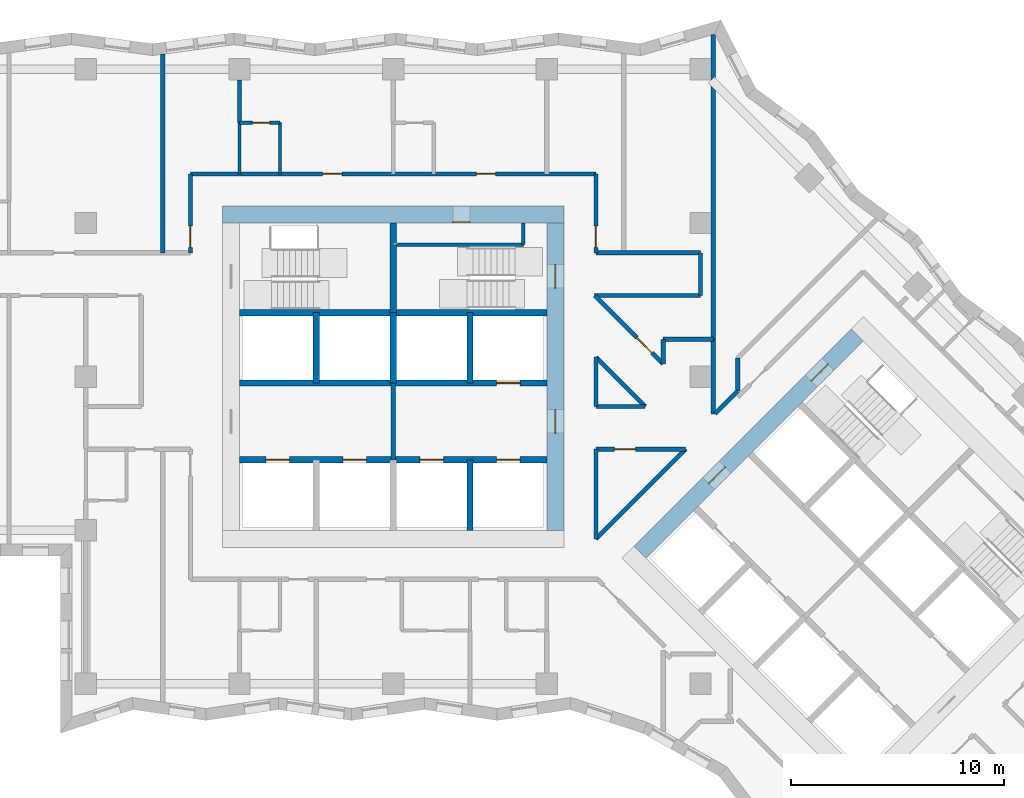
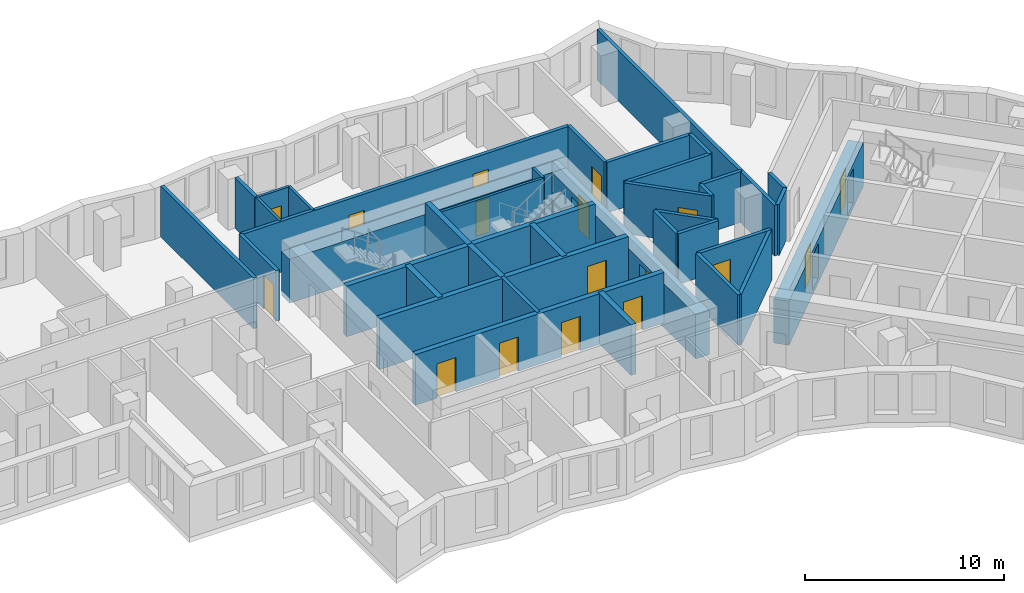
# One storey, part 6 of 13: 39 walls, 17 doors, 17 openings.
"""IFC4 building model written with IfcOpenShell, lengths in metres."""

import ifcopenshell
import ifcopenshell.guid

model = None  # the IFC model being written
_history = None  # IfcOwnerHistory: only IFC2X3 demands one
_inside = {}  # id of a spatial element -> (the spatial element, [elements in it])
_under = {}  # id of a project, library or spatial element -> (it, [spatial elements below it])
_declared = {}  # id of a project -> (the project, [libraries it declares])
_typed = {}  # id of a type object -> (the type object, [elements of that type])
_made_of = {}  # id of a material, layer set ... -> (it, [elements and type objects made of it])


def new_model(schema):
    """Start an empty IFC model of exactly this schema.

    Asked for "IFC4X3", IfcOpenShell would pick the latest addendum, in which some entities
    have other attributes; the version numbers below select the first issue.
    IFC2X3 requires an IfcOwnerHistory on every rooted entity: one is made here for all.
    """
    global model, _history
    if schema == "IFC4X3":
        model = ifcopenshell.file(schema_version=(4, 3, 0, 0))
    else:
        model = ifcopenshell.file(schema=schema)
    _inside.clear()
    _under.clear()
    _declared.clear()
    _typed.clear()
    _made_of.clear()
    _history = None
    if model.schema == "IFC2X3":
        org = make("IfcOrganization", Name="unknown")
        user = make(
            "IfcPersonAndOrganization",
            ThePerson=make("IfcPerson", FamilyName="unknown"),
            TheOrganization=org,
        )
        app = make(
            "IfcApplication",
            ApplicationDeveloper=org,
            Version="unknown",
            ApplicationFullName="unknown",
            ApplicationIdentifier="unknown",
        )
        _history = make(
            "IfcOwnerHistory",
            OwningUser=user,
            OwningApplication=app,
            ChangeAction="ADDED",
            CreationDate=0,
        )
    return model


def make(cls, **values):
    """One entity of the class cls with the attributes given. An attribute that is None is left unset."""
    return model.create_entity(
        cls, **{name: value for name, value in values.items() if value is not None}
    )


def rooted(cls, **values):
    """An entity with a GlobalId (a new one), such as an element, a storey or a relation."""
    return make(cls, GlobalId=ifcopenshell.guid.new(), OwnerHistory=_history, **values)


def si_unit(unit_type, name, prefix=None):
    """IfcSIUnit, for example si_unit("LENGTHUNIT", "METRE", prefix="MILLI")."""
    return make("IfcSIUnit", UnitType=unit_type, Prefix=prefix, Name=name)


def assignment(units):
    """IfcUnitAssignment: the units of a project."""
    return None if units is None else make("IfcUnitAssignment", Units=units)


def point(xyz):
    """IfcCartesianPoint."""
    return None if xyz is None else make("IfcCartesianPoint", Coordinates=xyz)


def direction(xyz):
    """IfcDirection."""
    return None if xyz is None else make("IfcDirection", DirectionRatios=xyz)


def frame(location, z_axis=None, x_axis=None):
    """IfcAxis2Placement3D, a coordinate frame: its origin and axes. An axis left out is left unset."""
    return make(
        "IfcAxis2Placement3D",
        Location=point(location),
        Axis=direction(z_axis),
        RefDirection=direction(x_axis),
    )


def frame_2d(location, x_axis=None):
    """IfcAxis2Placement2D, a coordinate frame in the plane: its origin and x axis."""
    return make(
        "IfcAxis2Placement2D", Location=point(location), RefDirection=direction(x_axis)
    )


def origin():
    """The frame at (0, 0, 0) with its axes left unset."""
    return frame((0.0, 0.0, 0.0))


def place(relative_to, where):
    """IfcLocalPlacement: puts the frame where relative to a parent placement (None: the world)."""
    return make(
        "IfcLocalPlacement", PlacementRelTo=relative_to, RelativePlacement=where
    )


def context(
    kind, dimensions, precision=None, world=None, true_north=None, identifier=None
):
    """IfcGeometricRepresentationContext, for example the 3D "Model" context."""
    return make(
        "IfcGeometricRepresentationContext",
        ContextIdentifier=identifier,
        ContextType=kind,
        CoordinateSpaceDimension=dimensions,
        Precision=precision,
        WorldCoordinateSystem=world,
        TrueNorth=true_north,
    )


def subcontext(parent, identifier, kind, view, scale=None):
    """IfcGeometricRepresentationSubContext, for example "Body" below "Model"."""
    return make(
        "IfcGeometricRepresentationSubContext",
        ContextIdentifier=identifier,
        ContextType=kind,
        ParentContext=parent,
        TargetScale=scale,
        TargetView=view,
    )


def project(units=None, contexts=None):
    """IfcProject with its units and contexts."""
    return rooted(
        "IfcProject",
        Name="project",
        RepresentationContexts=contexts,
        UnitsInContext=assignment(units),
    )


def spatial(cls, under=None, at=None, **own):
    """A site, building, storey or space (cls), placed at a placement, below another one or the project."""
    s = rooted(cls, ObjectPlacement=at, **own)
    if under is not None:
        _under.setdefault(under.id(), (under, []))[1].append(s)
    return s


def profile(cls, at=None, kind="AREA", **sizes):
    """A parametric profile (cls). Its sizes go by their IFC names, for example OverallWidth=200.0."""
    return make(cls, ProfileType=kind, Position=at, **sizes)


def rectangle(**sizes):
    """IfcRectangleProfileDef."""
    return profile("IfcRectangleProfileDef", **sizes)


def extrude(swept, where, along, depth):
    """IfcExtrudedAreaSolid: the profile swept, set in the frame where, extruded along a direction by depth."""
    return make(
        "IfcExtrudedAreaSolid",
        SweptArea=swept,
        Position=where,
        ExtrudedDirection=direction(along),
        Depth=depth,
    )


def shape(context_of_items, identifier, shape_type, items):
    """IfcShapeRepresentation: the items that make up one representation, for example the "Body"."""
    return make(
        "IfcShapeRepresentation",
        ContextOfItems=context_of_items,
        RepresentationIdentifier=identifier,
        RepresentationType=shape_type,
        Items=items,
    )


def material(Name=None, Category=None):
    """IfcMaterial."""
    return make("IfcMaterial", Name=Name, Category=Category)


def layer(
    of_material, thickness, ventilated=None, Name=None, Category=None, Priority=None
):
    """IfcMaterialLayer: one layer of a wall or slab, of a material (None: an air gap)."""
    return make(
        "IfcMaterialLayer",
        Material=of_material,
        LayerThickness=thickness,
        IsVentilated=ventilated,
        Name=Name,
        Category=Category,
        Priority=Priority,
    )


def layer_set(layers, Name=None):
    """IfcMaterialLayerSet."""
    return make("IfcMaterialLayerSet", MaterialLayers=layers, LayerSetName=Name)


def made_of(thing, what):
    """Note that an element or type object is made of a material, layer set ...; save() writes the relation."""
    if what is not None:
        _made_of.setdefault(what.id(), (what, []))[1].append(thing)
    return thing


def type_object(cls, material=None, **own):
    """A type object (cls), such as IfcWallType, which elements share."""
    return made_of(rooted(cls, **own), material)


def element(
    cls,
    number,
    at=None,
    inside=None,
    cuts=None,
    type_object=None,
    material=None,
    context=None,
    identifier="Body",
    shape_type=None,
    held_by="IfcProductDefinitionShape",
    body=None,
    shapes=None,
    **own,
):
    """One element of the class cls, such as IfcWall. Its Tag is "e" and its number.

    at: its placement. inside: the storey or other place that contains it. cuts: it is an
    opening in that element (IfcRelVoidsElement). A single representation is given by context,
    identifier, shape_type and body (its items); several are given by shapes. held_by: the class
    of the entity that holds the representations. save() writes the other relations.
    """
    e = rooted(cls, Tag="e%d" % number, ObjectPlacement=at, **own)
    if body is not None:
        shapes = [shape(context, identifier, shape_type, body)]
    if shapes is not None:
        e.Representation = make(held_by, Representations=shapes)
    if inside is not None:
        _inside.setdefault(inside.id(), (inside, []))[1].append(e)
    if cuts is not None:
        rooted(
            "IfcRelVoidsElement", RelatingBuildingElement=cuts, RelatedOpeningElement=e
        )
    if type_object is not None:
        _typed.setdefault(type_object.id(), (type_object, []))[1].append(e)
    return made_of(e, material)


def fill(opening, filler):
    """IfcRelFillsElement: the door or window that sits in an opening."""
    return rooted(
        "IfcRelFillsElement",
        RelatingOpeningElement=opening,
        RelatedBuildingElement=filler,
    )


def aggregate(whole, parts):
    """IfcRelAggregates: a whole, such as a stair, and the parts it consists of."""
    return rooted("IfcRelAggregates", RelatingObject=whole, RelatedObjects=parts)


def save(model, path):
    """Write the relations noted so far, then the file.

    IfcRelAggregates (storeys below a building ...), IfcRelContainedInSpatialStructure (elements
    in a storey), IfcRelDefinesByType, IfcRelAssociatesMaterial and IfcRelDeclares: one each for
    every whole, place, type object, material and project.
    """
    for whole, parts in _under.values():
        aggregate(whole, parts)
    for where, things in _inside.values():
        rooted(
            "IfcRelContainedInSpatialStructure",
            RelatedElements=things,
            RelatingStructure=where,
        )
    for kind, things in _typed.values():
        rooted("IfcRelDefinesByType", RelatedObjects=things, RelatingType=kind)
    for what, things in _made_of.values():
        rooted("IfcRelAssociatesMaterial", RelatedObjects=things, RelatingMaterial=what)
    for by, libraries in _declared.values():
        rooted("IfcRelDeclares", RelatingContext=by, RelatedDefinitions=libraries)
    model.write(path)


model = new_model("IFC4")

# Units and contexts
model_context = context("Model", 3, precision=1e-05, world=origin(), true_north=direction((0.0, 1.0)))
body_context = subcontext(model_context, "Body", "Model", "MODEL_VIEW")
ifc_project = project(units=[si_unit("LENGTHUNIT", "METRE"), si_unit("AREAUNIT", "SQUARE_METRE"), si_unit("VOLUMEUNIT", "CUBIC_METRE"), si_unit("PLANEANGLEUNIT", "RADIAN"), si_unit("MASSUNIT", "GRAM", prefix="KILO")], contexts=[model_context])

# Site, building, storey
site_placement = place(None, origin())
site = spatial("IfcSite", under=ifc_project, at=site_placement, CompositionType="ELEMENT")
building_placement = place(site_placement, origin())
building = spatial("IfcBuilding", under=site, at=building_placement, Name="Windrow Commons", CompositionType="ELEMENT")
storey_placement = place(building_placement, frame((0.0, 0.0, 105.0)))
storey = spatial("IfcBuildingStorey", under=building, at=storey_placement, Name="L28", CompositionType="ELEMENT", Elevation=105.0)

# Wall
ifc_material_1 = material(Name="Blockwork partition", Category="masonry")
ifc_layer_1 = layer(ifc_material_1, 0.2)
ifc_layer_set_1 = layer_set([ifc_layer_1], Name="Fire lobby partition 200")
wall_type_1 = type_object("IfcWallType", Name="Fire lobby partition 200", PredefinedType="PARTITIONING", material=ifc_layer_set_1)
wall_1_placement = place(storey_placement, frame((64.8, 53.7, 0.0), z_axis=(0.0, 0.0, 1.0), x_axis=(0.0, 1.0, 0.0)))
element("IfcWall", 1, at=wall_1_placement, inside=storey, type_object=wall_type_1, Name="W-core-lobby-A-L28", PredefinedType="PARTITIONING", context=body_context, shape_type="SweptSolid", body=[
    extrude(rectangle(XDim=3.6, YDim=0.2, at=frame_2d((1.8, 0.0))), origin(), (0.0, 0.0, 1.0), 3.1),
])

# Wall, openings, doors
ifc_material_2 = material(Name="Blockwork partition", Category="masonry")
ifc_layer_2 = layer(ifc_material_2, 0.2)
ifc_layer_set_2 = layer_set([ifc_layer_2], Name="IW-CORRIDOR-200")
wall_type_2 = type_object("IfcWallType", Name="IW-CORRIDOR-200", PredefinedType="PARTITIONING", material=ifc_layer_set_2)
wall_2_placement = place(storey_placement, frame((55.3, 67.1, 0.0), z_axis=(0.0, 0.0, 1.0), x_axis=(1.0, 0.0, 0.0)))
wall_2 = element("IfcWall", 2, at=wall_2_placement, inside=storey, type_object=wall_type_2, Name="W-L28-W004", PredefinedType="PARTITIONING", context=body_context, shape_type="SweptSolid", body=[
    extrude(rectangle(XDim=19.0, YDim=0.2, at=frame_2d((9.5, 0.0))), origin(), (0.0, 0.0, 1.0), 3.1),
])
opening_1_placement = place(wall_2_placement, frame((6.1994, 0.0, 0.0)))
opening_1 = element("IfcOpeningElement", 3, at=opening_1_placement, cuts=wall_2, Name="Opening D109F", PredefinedType="OPENING", context=body_context, shape_type="SweptSolid", body=[
    extrude(rectangle(XDim=0.9, YDim=2.1, at=frame_2d((0.45, 1.05))), frame((0.0, 0.11, 0.0), z_axis=(0.0, -1.0, 0.0), x_axis=(1.0, 0.0, 0.0)), (0.0, 0.0, 1.0), 0.22),
])
opening_2_placement = place(wall_2_placement, frame((13.3994, 0.0, 0.0)))
opening_2 = element("IfcOpeningElement", 4, at=opening_2_placement, cuts=wall_2, Name="Opening D109F", PredefinedType="OPENING", context=body_context, shape_type="SweptSolid", body=[
    extrude(rectangle(XDim=0.9, YDim=2.1, at=frame_2d((0.45, 1.05))), frame((0.0, 0.11, 0.0), z_axis=(0.0, -1.0, 0.0), x_axis=(1.0, 0.0, 0.0)), (0.0, 0.0, 1.0), 0.22),
])
ifc_material_3 = material(Name="Timber door leaf", Category="wood")
door_type_1 = type_object("IfcDoorType", Name="DT-BEDROOM-900", OperationType="SINGLE_SWING_LEFT", PredefinedType="DOOR", material=ifc_material_3)
door_1_placement = place(opening_1_placement, origin())
door_1 = element("IfcDoor", 5, at=door_1_placement, inside=storey, type_object=door_type_1, Name="D-L28-D024", OperationType="SINGLE_SWING_RIGHT", OverallHeight=2.1, OverallWidth=0.9, PredefinedType="DOOR", context=body_context, shape_type="SweptSolid", body=[
    extrude(rectangle(XDim=0.9, YDim=2.1, at=frame_2d((0.45, 1.05))), frame((0.0, 0.025, 0.0), z_axis=(0.0, -1.0, 0.0), x_axis=(1.0, 0.0, 0.0)), (0.0, 0.0, 1.0), 0.05),
])
fill(opening_1, door_1)
door_2_placement = place(opening_2_placement, origin())
door_2 = element("IfcDoor", 6, at=door_2_placement, inside=storey, type_object=door_type_1, Name="D-L28-D026", OperationType="SINGLE_SWING_RIGHT", OverallHeight=2.1, OverallWidth=0.9, PredefinedType="DOOR", context=body_context, shape_type="SweptSolid", body=[
    extrude(rectangle(XDim=0.9, YDim=2.1, at=frame_2d((0.45, 1.05))), frame((0.0, 0.025, 0.0), z_axis=(0.0, -1.0, 0.0), x_axis=(1.0, 0.0, 0.0)), (0.0, 0.0, 1.0), 0.05),
])
fill(opening_2, door_2)

# Walls
wall_3_placement = place(storey_placement, frame((74.3012, 49.9908, 0.0), z_axis=(0.0, 0.0, 1.0), x_axis=(0.7071067812, 0.7071067812, 0.0)))
element("IfcWall", 7, at=wall_3_placement, inside=storey, type_object=wall_type_2, Name="W-L28-W028", PredefinedType="PARTITIONING", context=body_context, shape_type="SweptSolid", body=[
    extrude(rectangle(XDim=5.951, YDim=0.2, at=frame_2d((2.9755, 0.0))), origin(), (0.0, 0.0, 1.0), 3.1),
])
wall_4_placement = place(storey_placement, frame((74.246, 61.4, 0.0), z_axis=(0.0, 0.0, 1.0), x_axis=(1.0, 0.0, 0.0)))
element("IfcWall", 8, at=wall_4_placement, inside=storey, type_object=wall_type_2, Name="W-L28-W038", PredefinedType="PARTITIONING", context=body_context, shape_type="SweptSolid", body=[
    extrude(rectangle(XDim=4.954, YDim=0.2, at=frame_2d((2.477, 0.0))), origin(), (0.0, 0.0, 1.0), 3.1),
])
wall_5_placement = place(storey_placement, frame((74.302, 63.4, 0.0), z_axis=(0.0, 0.0, 1.0), x_axis=(1.0, 0.0, 0.0)))
element("IfcWall", 9, at=wall_5_placement, inside=storey, type_object=wall_type_2, Name="W-L28-W040", PredefinedType="PARTITIONING", context=body_context, shape_type="SweptSolid", body=[
    extrude(rectangle(XDim=4.896, YDim=0.2, at=frame_2d((2.448, 0.0))), origin(), (0.0, 0.0, 1.0), 3.1),
])

# Wall, opening, door
wall_6_placement = place(storey_placement, frame((74.2426, 61.3946, 0.0), z_axis=(0.0, 0.0, 1.0), x_axis=(0.7071067812, -0.7071067812, 0.0)))
wall_6 = element("IfcWall", 10, at=wall_6_placement, inside=storey, type_object=wall_type_2, Name="W-L28-W044", PredefinedType="PARTITIONING", context=body_context, shape_type="SweptSolid", body=[
    extrude(rectangle(XDim=4.5283, YDim=0.2, at=frame_2d((2.2641, 0.0))), origin(), (0.0, 0.0, 1.0), 3.1),
])
opening_3_placement = place(wall_6_placement, frame((2.7971, 0.0, 0.0)))
opening_3 = element("IfcOpeningElement", 11, at=opening_3_placement, cuts=wall_6, Name="Opening D310F", PredefinedType="OPENING", context=body_context, shape_type="SweptSolid", body=[
    extrude(rectangle(XDim=1.0, YDim=2.1, at=frame_2d((0.5, 1.05))), frame((0.0, 0.11, 0.0), z_axis=(0.0, -1.0, 0.0), x_axis=(1.0, 0.0, 0.0)), (0.0, 0.0, 1.0), 0.22),
])
ifc_material_4 = material(Name="Timber door leaf", Category="wood")
door_type_2 = type_object("IfcDoorType", Name="DT-AMENITY-1000", OperationType="SINGLE_SWING_LEFT", PredefinedType="DOOR", material=ifc_material_4)
door_3_placement = place(opening_3_placement, origin())
door_3 = element("IfcDoor", 12, at=door_3_placement, inside=storey, type_object=door_type_2, Name="D-L28-D035", OperationType="SINGLE_SWING_LEFT", OverallHeight=2.1, OverallWidth=1.0, PredefinedType="DOOR", context=body_context, shape_type="SweptSolid", body=[
    extrude(rectangle(XDim=1.0, YDim=2.1, at=frame_2d((0.5, 1.05))), frame((0.0, 0.025, 0.0), z_axis=(0.0, -1.0, 0.0), x_axis=(1.0, 0.0, 0.0)), (0.0, 0.0, 1.0), 0.05),
])
fill(opening_3, door_3)

# Wall
wall_7_placement = place(storey_placement, frame((74.3, 49.99, 0.0), z_axis=(0.0, 0.0, 1.0), x_axis=(0.0, 1.0, 0.0)))
element("IfcWall", 13, at=wall_7_placement, inside=storey, type_object=wall_type_2, Name="W-L28-W048", PredefinedType="PARTITIONING", context=body_context, shape_type="SweptSolid", body=[
    extrude(rectangle(XDim=4.21, YDim=0.2, at=frame_2d((2.105, 0.0))), origin(), (0.0, 0.0, 1.0), 3.1),
])

# Wall, opening, door
wall_8_placement = place(storey_placement, frame((74.302, 54.2, 0.0), z_axis=(0.0, 0.0, 1.0), x_axis=(1.0, 0.0, 0.0)))
wall_8 = element("IfcWall", 14, at=wall_8_placement, inside=storey, type_object=wall_type_2, Name="W-L28-W049", PredefinedType="PARTITIONING", context=body_context, shape_type="SweptSolid", body=[
    extrude(rectangle(XDim=4.208, YDim=0.2, at=frame_2d((2.104, 0.0))), origin(), (0.0, 0.0, 1.0), 3.1),
])
opening_4_placement = place(wall_8_placement, frame((0.8604, 0.0, 0.0)))
opening_4 = element("IfcOpeningElement", 15, at=opening_4_placement, cuts=wall_8, Name="Opening D410F", PredefinedType="OPENING", context=body_context, shape_type="SweptSolid", body=[
    extrude(rectangle(XDim=1.0, YDim=2.1, at=frame_2d((0.5, 1.05))), frame((0.0, 0.11, 0.0), z_axis=(0.0, -1.0, 0.0), x_axis=(1.0, 0.0, 0.0)), (0.0, 0.0, 1.0), 0.22),
])
ifc_material_5 = material(Name="Timber door leaf", Category="wood")
door_type_3 = type_object("IfcDoorType", Name="DT-SERVICE-1000", OperationType="SINGLE_SWING_LEFT", PredefinedType="DOOR", material=ifc_material_5)
door_4_placement = place(opening_4_placement, origin())
door_4 = element("IfcDoor", 16, at=door_4_placement, inside=storey, type_object=door_type_3, Name="D-L28-D000", OperationType="SINGLE_SWING_RIGHT", OverallHeight=2.1, OverallWidth=1.0, PredefinedType="DOOR", context=body_context, shape_type="SweptSolid", body=[
    extrude(rectangle(XDim=1.0, YDim=2.1, at=frame_2d((0.5, 1.05))), frame((0.0, 0.025, 0.0), z_axis=(0.0, -1.0, 0.0), x_axis=(1.0, 0.0, 0.0)), (0.0, 0.0, 1.0), 0.05),
])
fill(opening_4, door_4)

wall_9_placement = place(storey_placement, frame((55.3, 63.402, 0.0), z_axis=(0.0, 0.0, 1.0), x_axis=(0.0, 1.0, 0.0)))
wall_9 = element("IfcWall", 17, at=wall_9_placement, inside=storey, type_object=wall_type_2, Name="W-L28-W051", PredefinedType="PARTITIONING", context=body_context, shape_type="SweptSolid", body=[
    extrude(rectangle(XDim=3.698, YDim=0.2, at=frame_2d((1.849, 0.0))), origin(), (0.0, 0.0, 1.0), 3.1),
])
opening_5_placement = place(wall_9_placement, frame((0.258, 0.0, 0.0)))
opening_5 = element("IfcOpeningElement", 18, at=opening_5_placement, cuts=wall_9, Name="Opening D310F", PredefinedType="OPENING", context=body_context, shape_type="SweptSolid", body=[
    extrude(rectangle(XDim=1.0, YDim=2.1, at=frame_2d((0.5, 1.05))), frame((0.0, 0.11, 0.0), z_axis=(0.0, -1.0, 0.0), x_axis=(1.0, 0.0, 0.0)), (0.0, 0.0, 1.0), 0.22),
])
door_5_placement = place(opening_5_placement, origin())
door_5 = element("IfcDoor", 19, at=door_5_placement, inside=storey, type_object=door_type_2, Name="D-L28-D014", OperationType="SINGLE_SWING_LEFT", OverallHeight=2.1, OverallWidth=1.0, PredefinedType="DOOR", context=body_context, shape_type="SweptSolid", body=[
    extrude(rectangle(XDim=1.0, YDim=2.1, at=frame_2d((0.5, 1.05))), frame((0.0, 0.025, 0.0), z_axis=(0.0, -1.0, 0.0), x_axis=(1.0, 0.0, 0.0)), (0.0, 0.0, 1.0), 0.05),
])
fill(opening_5, door_5)

wall_10_placement = place(storey_placement, frame((74.3, 63.402, 0.0), z_axis=(0.0, 0.0, 1.0), x_axis=(0.0, 1.0, 0.0)))
wall_10 = element("IfcWall", 20, at=wall_10_placement, inside=storey, type_object=wall_type_2, Name="W-L28-W052", PredefinedType="PARTITIONING", context=body_context, shape_type="SweptSolid", body=[
    extrude(rectangle(XDim=3.698, YDim=0.2, at=frame_2d((1.849, 0.0))), origin(), (0.0, 0.0, 1.0), 3.1),
])
opening_6_placement = place(wall_10_placement, frame((0.258, 0.0, 0.0)))
opening_6 = element("IfcOpeningElement", 21, at=opening_6_placement, cuts=wall_10, Name="Opening D310F", PredefinedType="OPENING", context=body_context, shape_type="SweptSolid", body=[
    extrude(rectangle(XDim=1.0, YDim=2.1, at=frame_2d((0.5, 1.05))), frame((0.0, 0.11, 0.0), z_axis=(0.0, -1.0, 0.0), x_axis=(1.0, 0.0, 0.0)), (0.0, 0.0, 1.0), 0.22),
])
door_6_placement = place(opening_6_placement, origin())
door_6 = element("IfcDoor", 22, at=door_6_placement, inside=storey, type_object=door_type_2, Name="D-L28-D015", OperationType="SINGLE_SWING_RIGHT", OverallHeight=2.1, OverallWidth=1.0, PredefinedType="DOOR", context=body_context, shape_type="SweptSolid", body=[
    extrude(rectangle(XDim=1.0, YDim=2.1, at=frame_2d((0.5, 1.05))), frame((0.0, 0.025, 0.0), z_axis=(0.0, -1.0, 0.0), x_axis=(1.0, 0.0, 0.0)), (0.0, 0.0, 1.0), 0.05),
])
fill(opening_6, door_6)

# Walls
wall_11_placement = place(storey_placement, frame((79.8, 55.85, 0.0), z_axis=(0.0, 0.0, 1.0), x_axis=(0.0, 1.0, 0.0)))
element("IfcWall", 23, at=wall_11_placement, inside=storey, type_object=wall_type_2, Name="W-L28-W053", PredefinedType="PARTITIONING", context=body_context, shape_type="SweptSolid", body=[
    extrude(rectangle(XDim=3.5, YDim=0.2, at=frame_2d((1.75, 0.0))), origin(), (0.0, 0.0, 1.0), 3.1),
])
wall_12_placement = place(storey_placement, frame((74.3055, 58.5175, 0.0), z_axis=(0.0, 0.0, 1.0), x_axis=(0.7071067812, -0.7071067812, 0.0)))
element("IfcWall", 24, at=wall_12_placement, inside=storey, type_object=wall_type_2, Name="W-L28-W056", PredefinedType="PARTITIONING", context=body_context, shape_type="SweptSolid", body=[
    extrude(rectangle(XDim=3.2697, YDim=0.2, at=frame_2d((1.6348, 0.0))), origin(), (0.0, 0.0, 1.0), 3.1),
])
wall_13_placement = place(storey_placement, frame((77.452, 59.35, 0.0), z_axis=(0.0, 0.0, 1.0), x_axis=(1.0, 0.0, 0.0)))
element("IfcWall", 25, at=wall_13_placement, inside=storey, type_object=wall_type_2, Name="W-L28-W096", PredefinedType="PARTITIONING", context=body_context, shape_type="SweptSolid", body=[
    extrude(rectangle(XDim=2.348, YDim=0.2, at=frame_2d((1.174, 0.0))), origin(), (0.0, 0.0, 1.0), 3.1),
])
for number, where, z_axis, x_axis, name in (
    (26, (74.3, 56.202, 0.0), (0.0, 0.0, 1.0), (0.0, 1.0, 0.0), "W-L28-W097"),
    (27, (74.302, 56.2, 0.0), (0.0, 0.0, 1.0), (1.0, 0.0, 0.0), "W-L28-W098"),
):
    element("IfcWall", number, at=place(storey_placement, frame(where, z_axis=z_axis, x_axis=x_axis)), inside=storey, type_object=wall_type_2, Name=name, PredefinedType="PARTITIONING", context=body_context, shape_type="SweptSolid", body=[
        extrude(rectangle(XDim=2.31, YDim=0.2, at=frame_2d((1.155, 0.0))), origin(), (0.0, 0.0, 1.0), 3.1),
    ])
wall_14_placement = place(storey_placement, frame((79.2, 61.402, 0.0), z_axis=(0.0, 0.0, 1.0), x_axis=(0.0, 1.0, 0.0)))
element("IfcWall", 28, at=wall_14_placement, inside=storey, type_object=wall_type_2, Name="W-L28-W112", PredefinedType="PARTITIONING", context=body_context, shape_type="SweptSolid", body=[
    extrude(rectangle(XDim=1.996, YDim=0.2, at=frame_2d((0.998, 0.0))), origin(), (0.0, 0.0, 1.0), 3.1),
])
wall_15_placement = place(storey_placement, frame((79.8787, 55.8513, 0.0), z_axis=(0.0, 0.0, 1.0), x_axis=(0.7071067812, 0.7071067812, 0.0)))
element("IfcWall", 29, at=wall_15_placement, inside=storey, type_object=wall_type_2, Name="W-L28-W131", PredefinedType="PARTITIONING", context=body_context, shape_type="SweptSolid", body=[
    extrude(rectangle(XDim=1.5132, YDim=0.2, at=frame_2d((0.7566, 0.0))), origin(), (0.0, 0.0, 1.0), 3.1),
])
wall_16_placement = place(storey_placement, frame((77.45, 58.196, 0.0), z_axis=(0.0, 0.0, 1.0), x_axis=(0.0, 1.0, 0.0)))
element("IfcWall", 30, at=wall_16_placement, inside=storey, type_object=wall_type_2, Name="W-L28-W136", PredefinedType="PARTITIONING", context=body_context, shape_type="SweptSolid", body=[
    extrude(rectangle(XDim=1.152, YDim=0.2, at=frame_2d((0.576, 0.0))), origin(), (0.0, 0.0, 1.0), 3.1),
])
ifc_material_6 = material(Name="Blockwork partition", Category="masonry")
ifc_layer_3 = layer(ifc_material_6, 0.15)
ifc_layer_set_3 = layer_set([ifc_layer_3], Name="IW-ENSUITE-150")
wall_type_3 = type_object("IfcWallType", Name="IW-ENSUITE-150", PredefinedType="PARTITIONING", material=ifc_layer_set_3)
for number, where, z_axis, x_axis, name in (
    (31, (59.5, 67.1, 0.0), (0.0, 0.0, 1.0), (0.0, 1.0, 0.0), "W-L28-W072"),
    (32, (57.6, 67.1, 0.0), (0.0, 0.0, 1.0), (0.0, 1.0, 0.0), "W-L28-W073"),
):
    element("IfcWall", number, at=place(storey_placement, frame(where, z_axis=z_axis, x_axis=x_axis)), inside=storey, type_object=wall_type_3, Name=name, PredefinedType="PARTITIONING", context=body_context, shape_type="SweptSolid", body=[
        extrude(rectangle(XDim=2.4, YDim=0.15, at=frame_2d((1.2, 0.0))), origin(), (0.0, 0.0, 1.0), 3.1),
    ])

# Wall, opening, door
wall_17_placement = place(storey_placement, frame((57.6, 69.5, 0.0), z_axis=(0.0, 0.0, 1.0), x_axis=(1.0, 0.0, 0.0)))
wall_17 = element("IfcWall", 33, at=wall_17_placement, inside=storey, type_object=wall_type_3, Name="W-L28-W127", PredefinedType="PARTITIONING", context=body_context, shape_type="SweptSolid", body=[
    extrude(rectangle(XDim=1.9, YDim=0.15, at=frame_2d((0.95, 0.0))), origin(), (0.0, 0.0, 1.0), 3.1),
])
opening_7_placement = place(wall_17_placement, frame((0.6069, 0.0, 0.0)))
opening_7 = element("IfcOpeningElement", 34, at=opening_7_placement, cuts=wall_17, Name="Opening D208N", PredefinedType="OPENING", context=body_context, shape_type="SweptSolid", body=[
    extrude(rectangle(XDim=0.8, YDim=2.1, at=frame_2d((0.4, 1.05))), frame((0.0, 0.085, 0.0), z_axis=(0.0, -1.0, 0.0), x_axis=(1.0, 0.0, 0.0)), (0.0, 0.0, 1.0), 0.17),
])
ifc_material_7 = material(Name="Timber door leaf", Category="wood")
door_type_4 = type_object("IfcDoorType", Name="DT-ENSUITE-800", OperationType="SINGLE_SWING_LEFT", PredefinedType="DOOR", material=ifc_material_7)
door_7_placement = place(opening_7_placement, origin())
door_7 = element("IfcDoor", 35, at=door_7_placement, inside=storey, type_object=door_type_4, Name="D-L28-D025", OperationType="SINGLE_SWING_RIGHT", OverallHeight=2.1, OverallWidth=0.8, PredefinedType="DOOR", context=body_context, shape_type="SweptSolid", body=[
    extrude(rectangle(XDim=0.8, YDim=2.1, at=frame_2d((0.4, 1.05))), frame((0.0, 0.025, 0.0), z_axis=(0.0, -1.0, 0.0), x_axis=(1.0, 0.0, 0.0)), (0.0, 0.0, 1.0), 0.05),
])
fill(opening_7, door_7)

# Walls
ifc_material_8 = material(Name="Blockwork partition", Category="masonry")
ifc_layer_4 = layer(ifc_material_8, 0.2)
ifc_layer_set_4 = layer_set([ifc_layer_4], Name="IW-PARTY-200")
wall_type_4 = type_object("IfcWallType", Name="IW-PARTY-200", PredefinedType="PARTITIONING", material=ifc_layer_set_4)
wall_18_placement = place(storey_placement, frame((79.8, 59.35, 0.0), z_axis=(0.0, 0.0, 1.0), x_axis=(0.0, 1.0, 0.0)))
element("IfcWall", 36, at=wall_18_placement, inside=storey, type_object=wall_type_4, Name="W-L28-W005", PredefinedType="PARTITIONING", context=body_context, shape_type="SweptSolid", body=[
    extrude(rectangle(XDim=14.2844, YDim=0.2, at=frame_2d((7.1422, 0.0))), origin(), (0.0, 0.0, 1.0), 3.1),
])
wall_19_placement = place(storey_placement, frame((54.0, 63.4, 0.0), z_axis=(0.0, 0.0, 1.0), x_axis=(0.0, 1.0, 0.0)))
element("IfcWall", 37, at=wall_19_placement, inside=storey, type_object=wall_type_4, Name="W-L28-W015", PredefinedType="PARTITIONING", context=body_context, shape_type="SweptSolid", body=[
    extrude(rectangle(XDim=9.3087, YDim=0.2, at=frame_2d((4.6543, 0.0))), origin(), (0.0, 0.0, 1.0), 3.1),
])
wall_20_placement = place(storey_placement, frame((57.6, 69.5, 0.0), z_axis=(0.0, 0.0, 1.0), x_axis=(0.0, 1.0, 0.0)))
element("IfcWall", 38, at=wall_20_placement, inside=storey, type_object=wall_type_4, Name="W-L28-W107", PredefinedType="PARTITIONING", context=body_context, shape_type="SweptSolid", body=[
    extrude(rectangle(XDim=2.0, YDim=0.2, at=frame_2d((1.0, 0.0))), origin(), (0.0, 0.0, 1.0), 3.1),
])
wall_21_placement = place(storey_placement, frame((80.95, 56.92, 0.0), z_axis=(0.0, 0.0, 1.0), x_axis=(0.0, 1.0, 0.0)))
element("IfcWall", 39, at=wall_21_placement, inside=storey, type_object=wall_type_4, Name="W-L28-W130", PredefinedType="PARTITIONING", context=body_context, shape_type="SweptSolid", body=[
    extrude(rectangle(XDim=1.556, YDim=0.2, at=frame_2d((0.778, 0.0))), origin(), (0.0, 0.0, 1.0), 3.1),
])

# Wall, opening, door
ifc_material_9 = material(Name="Concrete C50/60", Category="concrete")
ifc_layer_5 = layer(ifc_material_9, 0.8)
ifc_layer_set_5 = layer_set([ifc_layer_5], Name="RC CORE WALL 800 C50/60")
wall_type_5 = type_object("IfcWallType", Name="RC CORE WALL 800 C50/60", PredefinedType="SHEAR", material=ifc_layer_set_5)
wall_22_placement = place(storey_placement, frame((56.8, 65.2, -0.3), z_axis=(0.0, 0.0, 1.0), x_axis=(1.0, 0.0, 0.0)))
wall_22 = element("IfcWall", 40, at=wall_22_placement, inside=storey, type_object=wall_type_5, Name="Core A wall outer-N", PredefinedType="SHEAR", context=body_context, shape_type="SweptSolid", body=[
    extrude(rectangle(XDim=16.0, YDim=0.8, at=frame_2d((8.0, 0.0))), origin(), (0.0, 0.0, 1.0), 2.7),
])
opening_8_placement = place(wall_22_placement, frame((10.8, 0.0, 0.3)))
opening_8 = element("IfcOpeningElement", 41, at=opening_8_placement, cuts=wall_22, Name="Opening D9", PredefinedType="OPENING", context=body_context, shape_type="SweptSolid", body=[
    extrude(rectangle(XDim=0.8, YDim=2.1, at=frame_2d((0.4, 1.05))), frame((0.0, 0.41, 0.0), z_axis=(0.0, -1.0, 0.0), x_axis=(1.0, 0.0, 0.0)), (0.0, 0.0, 1.0), 0.82),
])
ifc_material_10 = material(Name="Steel fire door leaf", Category="steel")
door_type_5 = type_object("IfcDoorType", Name="Riser access door 800", OperationType="SINGLE_SWING_LEFT", PredefinedType="DOOR", material=ifc_material_10)
door_8_placement = place(opening_8_placement, origin())
door_8 = element("IfcDoor", 42, at=door_8_placement, inside=storey, type_object=door_type_5, Name="Riser access door", OperationType="SINGLE_SWING_RIGHT", OverallHeight=2.1, OverallWidth=0.8, PredefinedType="DOOR", context=body_context, shape_type="SweptSolid", body=[
    extrude(rectangle(XDim=0.8, YDim=2.1, at=frame_2d((0.4, 1.05))), frame((0.0, -0.34, 0.0), z_axis=(0.0, -1.0, 0.0), x_axis=(1.0, 0.0, 0.0)), (0.0, 0.0, 1.0), 0.05),
])
fill(opening_8, door_8)

# Wall, openings, doors
wall_23_placement = place(storey_placement, frame((72.4, 50.4, -0.3), z_axis=(0.0, 0.0, 1.0), x_axis=(0.0, 1.0, 0.0)))
wall_23 = element("IfcWall", 43, at=wall_23_placement, inside=storey, type_object=wall_type_5, Name="Core A wall outer-E", PredefinedType="SHEAR", context=body_context, shape_type="SweptSolid", body=[
    extrude(rectangle(XDim=14.4, YDim=0.8, at=frame_2d((7.2, 0.0))), origin(), (0.0, 0.0, 1.0), 2.7),
])
opening_9_placement = place(wall_23_placement, frame((4.55, 0.0, 0.3)))
opening_9 = element("IfcOpeningElement", 44, at=opening_9_placement, cuts=wall_23, Name="Opening D6", PredefinedType="OPENING", context=body_context, shape_type="SweptSolid", body=[
    extrude(rectangle(XDim=1.1, YDim=2.1, at=frame_2d((0.55, 1.05))), frame((0.0, 0.41, 0.0), z_axis=(0.0, -1.0, 0.0), x_axis=(1.0, 0.0, 0.0)), (0.0, 0.0, 1.0), 0.82),
])
opening_10_placement = place(wall_23_placement, frame((11.35, 0.0, 0.3)))
opening_10 = element("IfcOpeningElement", 45, at=opening_10_placement, cuts=wall_23, Name="Opening D7", PredefinedType="OPENING", context=body_context, shape_type="SweptSolid", body=[
    extrude(rectangle(XDim=1.1, YDim=2.1, at=frame_2d((0.55, 1.05))), frame((0.0, 0.41, 0.0), z_axis=(0.0, -1.0, 0.0), x_axis=(1.0, 0.0, 0.0)), (0.0, 0.0, 1.0), 0.82),
])
ifc_material_11 = material(Name="Steel fire door leaf", Category="steel")
door_type_6 = type_object("IfcDoorType", Name="Core lobby door 1100", OperationType="SINGLE_SWING_LEFT", PredefinedType="DOOR", material=ifc_material_11)
door_9_placement = place(opening_9_placement, origin())
door_9 = element("IfcDoor", 46, at=door_9_placement, inside=storey, type_object=door_type_6, Name="Lift lobby door", OperationType="DOUBLE_DOOR_SINGLE_SWING", OverallHeight=2.1, OverallWidth=1.1, PredefinedType="DOOR", context=body_context, shape_type="SweptSolid", body=[
    extrude(rectangle(XDim=1.1, YDim=2.1, at=frame_2d((0.55, 1.05))), frame((0.0, 0.025, 0.0), z_axis=(0.0, -1.0, 0.0), x_axis=(1.0, 0.0, 0.0)), (0.0, 0.0, 1.0), 0.05),
])
fill(opening_9, door_9)
ifc_material_12 = material(Name="Steel fire door leaf", Category="steel")
door_type_7 = type_object("IfcDoorType", Name="Stair door 1100", OperationType="SINGLE_SWING_LEFT", PredefinedType="DOOR", material=ifc_material_12)
door_10_placement = place(opening_10_placement, origin())
door_10 = element("IfcDoor", 47, at=door_10_placement, inside=storey, type_object=door_type_7, Name="Stair door", OperationType="SINGLE_SWING_RIGHT", OverallHeight=2.1, OverallWidth=1.1, PredefinedType="DOOR", context=body_context, shape_type="SweptSolid", body=[
    extrude(rectangle(XDim=1.1, YDim=2.1, at=frame_2d((0.55, 1.05))), frame((0.0, 0.025, 0.0), z_axis=(0.0, -1.0, 0.0), x_axis=(1.0, 0.0, 0.0)), (0.0, 0.0, 1.0), 0.05),
])
fill(opening_10, door_10)

wall_24_placement = place(storey_placement, frame((76.3716, 49.3726, -0.3), z_axis=(0.0, 0.0, 1.0), x_axis=(0.7071067812, 0.7071067812, 0.0)))
wall_24 = element("IfcWall", 48, at=wall_24_placement, inside=storey, type_object=wall_type_5, Name="Core B wall outer-W", PredefinedType="SHEAR", context=body_context, shape_type="SweptSolid", body=[
    extrude(rectangle(XDim=14.3999, YDim=0.8, at=frame_2d((7.2, 0.0))), origin(), (0.0, 0.0, 1.0), 2.7),
])
opening_11_placement = place(wall_24_placement, frame((4.55, 0.0, 0.3)))
opening_11 = element("IfcOpeningElement", 49, at=opening_11_placement, cuts=wall_24, Name="Opening D6", PredefinedType="OPENING", context=body_context, shape_type="SweptSolid", body=[
    extrude(rectangle(XDim=1.1, YDim=2.1, at=frame_2d((0.55, 1.05))), frame((0.0, 0.41, 0.0), z_axis=(0.0, -1.0, 0.0), x_axis=(1.0, 0.0, 0.0)), (0.0, 0.0, 1.0), 0.82),
])
opening_12_placement = place(wall_24_placement, frame((11.35, 0.0, 0.3)))
opening_12 = element("IfcOpeningElement", 50, at=opening_12_placement, cuts=wall_24, Name="Opening D7", PredefinedType="OPENING", context=body_context, shape_type="SweptSolid", body=[
    extrude(rectangle(XDim=1.1, YDim=2.1, at=frame_2d((0.55, 1.05))), frame((0.0, 0.41, 0.0), z_axis=(0.0, -1.0, 0.0), x_axis=(1.0, 0.0, 0.0)), (0.0, 0.0, 1.0), 0.82),
])
door_11_placement = place(opening_11_placement, origin())
door_11 = element("IfcDoor", 51, at=door_11_placement, inside=storey, type_object=door_type_6, Name="Lift lobby door", OperationType="DOUBLE_DOOR_SINGLE_SWING", OverallHeight=2.1, OverallWidth=1.1, PredefinedType="DOOR", context=body_context, shape_type="SweptSolid", body=[
    extrude(rectangle(XDim=1.1, YDim=2.1, at=frame_2d((0.55, 1.05))), frame((0.0, 0.025, 0.0), z_axis=(0.0, -1.0, 0.0), x_axis=(1.0, 0.0, 0.0)), (0.0, 0.0, 1.0), 0.05),
])
fill(opening_11, door_11)
door_12_placement = place(opening_12_placement, origin())
door_12 = element("IfcDoor", 52, at=door_12_placement, inside=storey, type_object=door_type_7, Name="Stair door", OperationType="SINGLE_SWING_LEFT", OverallHeight=2.1, OverallWidth=1.1, PredefinedType="DOOR", context=body_context, shape_type="SweptSolid", body=[
    extrude(rectangle(XDim=1.1, YDim=2.1, at=frame_2d((0.55, 1.05))), frame((0.0, 0.025, 0.0), z_axis=(0.0, -1.0, 0.0), x_axis=(1.0, 0.0, 0.0)), (0.0, 0.0, 1.0), 0.05),
])
fill(opening_12, door_12)

# Walls
ifc_material_13 = material(Name="Concrete C50/60", Category="concrete")
ifc_layer_6 = layer(ifc_material_13, 0.3)
ifc_layer_set_6 = layer_set([ifc_layer_6], Name="RC SHAFT WALL 300 C50/60")
wall_type_6 = type_object("IfcWallType", Name="RC SHAFT WALL 300 C50/60", PredefinedType="SOLIDWALL", material=ifc_layer_set_6)
for number, where, z_axis, x_axis, name in (
    (53, (61.2, 57.3, 0.0), (0.0, 0.0, 1.0), (0.0, 1.0, 0.0), "Core A wall shaft-N1"),
    (54, (64.8, 57.3, 0.0), (0.0, 0.0, 1.0), (0.0, 1.0, 0.0), "Core A wall shaft-N2"),
    (55, (68.4, 50.4, 0.0), (0.0, 0.0, 1.0), (0.0, 1.0, 0.0), "Core A wall shaft-S3"),
    (56, (68.4, 57.3, 0.0), (0.0, 0.0, 1.0), (0.0, 1.0, 0.0), "Core A wall shaft-N3"),
):
    element("IfcWall", number, at=place(storey_placement, frame(where, z_axis=z_axis, x_axis=x_axis)), inside=storey, type_object=wall_type_6, Name=name, PredefinedType="SOLIDWALL", context=body_context, shape_type="SweptSolid", body=[
        extrude(rectangle(XDim=3.3, YDim=0.3, at=frame_2d((1.65, 0.0))), origin(), (0.0, 0.0, 1.0), 3.1),
    ])

# Wall, openings, doors
wall_25_placement = place(storey_placement, frame((57.6, 53.7, 0.0), z_axis=(0.0, 0.0, 1.0), x_axis=(1.0, 0.0, 0.0)))
wall_25 = element("IfcWall", 57, at=wall_25_placement, inside=storey, type_object=wall_type_6, Name="Core A wall lobby-S", PredefinedType="SOLIDWALL", context=body_context, shape_type="SweptSolid", body=[
    extrude(rectangle(XDim=14.4, YDim=0.3, at=frame_2d((7.2, 0.0))), origin(), (0.0, 0.0, 1.0), 3.1),
])
opening_13_placement = place(wall_25_placement, frame((1.25, 0.0, 0.0)))
opening_13 = element("IfcOpeningElement", 58, at=opening_13_placement, cuts=wall_25, Name="Opening LD", PredefinedType="OPENING", context=body_context, shape_type="SweptSolid", body=[
    extrude(rectangle(XDim=1.1, YDim=2.1, at=frame_2d((0.55, 1.05))), frame((0.0, 0.16, 0.0), z_axis=(0.0, -1.0, 0.0), x_axis=(1.0, 0.0, 0.0)), (0.0, 0.0, 1.0), 0.32),
])
opening_14_placement = place(wall_25_placement, frame((4.85, 0.0, 0.0)))
opening_14 = element("IfcOpeningElement", 59, at=opening_14_placement, cuts=wall_25, Name="Opening LD", PredefinedType="OPENING", context=body_context, shape_type="SweptSolid", body=[
    extrude(rectangle(XDim=1.1, YDim=2.1, at=frame_2d((0.55, 1.05))), frame((0.0, 0.16, 0.0), z_axis=(0.0, -1.0, 0.0), x_axis=(1.0, 0.0, 0.0)), (0.0, 0.0, 1.0), 0.32),
])
opening_15_placement = place(wall_25_placement, frame((8.45, 0.0, 0.0)))
opening_15 = element("IfcOpeningElement", 60, at=opening_15_placement, cuts=wall_25, Name="Opening LD", PredefinedType="OPENING", context=body_context, shape_type="SweptSolid", body=[
    extrude(rectangle(XDim=1.1, YDim=2.1, at=frame_2d((0.55, 1.05))), frame((0.0, 0.16, 0.0), z_axis=(0.0, -1.0, 0.0), x_axis=(1.0, 0.0, 0.0)), (0.0, 0.0, 1.0), 0.32),
])
opening_16_placement = place(wall_25_placement, frame((12.05, 0.0, 0.0)))
opening_16 = element("IfcOpeningElement", 61, at=opening_16_placement, cuts=wall_25, Name="Opening LD", PredefinedType="OPENING", context=body_context, shape_type="SweptSolid", body=[
    extrude(rectangle(XDim=1.1, YDim=2.1, at=frame_2d((0.55, 1.05))), frame((0.0, 0.16, 0.0), z_axis=(0.0, -1.0, 0.0), x_axis=(1.0, 0.0, 0.0)), (0.0, 0.0, 1.0), 0.32),
])
ifc_material_14 = material(Name="Stainless steel door leaf", Category="steel")
door_type_8 = type_object("IfcDoorType", Name="Lift landing door 1100", OperationType="SLIDING_TO_LEFT", PredefinedType="DOOR", material=ifc_material_14)
door_13_placement = place(opening_13_placement, origin())
door_13 = element("IfcDoor", 62, at=door_13_placement, inside=storey, type_object=door_type_8, Name="Lift landing door", OperationType="SLIDING_TO_LEFT", OverallHeight=2.1, OverallWidth=1.1, PredefinedType="DOOR", context=body_context, shape_type="SweptSolid", body=[
    extrude(rectangle(XDim=1.1, YDim=2.1, at=frame_2d((0.55, 1.05))), frame((0.0, 0.025, 0.0), z_axis=(0.0, -1.0, 0.0), x_axis=(1.0, 0.0, 0.0)), (0.0, 0.0, 1.0), 0.05),
])
fill(opening_13, door_13)
door_14_placement = place(opening_14_placement, origin())
door_14 = element("IfcDoor", 63, at=door_14_placement, inside=storey, type_object=door_type_8, Name="Lift landing door", OperationType="SLIDING_TO_RIGHT", OverallHeight=2.1, OverallWidth=1.1, PredefinedType="DOOR", context=body_context, shape_type="SweptSolid", body=[
    extrude(rectangle(XDim=1.1, YDim=2.1, at=frame_2d((0.55, 1.05))), frame((0.0, 0.025, 0.0), z_axis=(0.0, -1.0, 0.0), x_axis=(1.0, 0.0, 0.0)), (0.0, 0.0, 1.0), 0.05),
])
fill(opening_14, door_14)
door_15_placement = place(opening_15_placement, origin())
door_15 = element("IfcDoor", 64, at=door_15_placement, inside=storey, type_object=door_type_8, Name="Lift landing door", OperationType="SLIDING_TO_LEFT", OverallHeight=2.1, OverallWidth=1.1, PredefinedType="DOOR", context=body_context, shape_type="SweptSolid", body=[
    extrude(rectangle(XDim=1.1, YDim=2.1, at=frame_2d((0.55, 1.05))), frame((0.0, 0.025, 0.0), z_axis=(0.0, -1.0, 0.0), x_axis=(1.0, 0.0, 0.0)), (0.0, 0.0, 1.0), 0.05),
])
fill(opening_15, door_15)
door_16_placement = place(opening_16_placement, origin())
door_16 = element("IfcDoor", 65, at=door_16_placement, inside=storey, type_object=door_type_8, Name="Lift landing door", OperationType="SLIDING_TO_RIGHT", OverallHeight=2.1, OverallWidth=1.1, PredefinedType="DOOR", context=body_context, shape_type="SweptSolid", body=[
    extrude(rectangle(XDim=1.1, YDim=2.1, at=frame_2d((0.55, 1.05))), frame((0.0, 0.025, 0.0), z_axis=(0.0, -1.0, 0.0), x_axis=(1.0, 0.0, 0.0)), (0.0, 0.0, 1.0), 0.05),
])
fill(opening_16, door_16)

# Wall, opening, door
wall_26_placement = place(storey_placement, frame((57.6, 57.3, 0.0), z_axis=(0.0, 0.0, 1.0), x_axis=(1.0, 0.0, 0.0)))
wall_26 = element("IfcWall", 66, at=wall_26_placement, inside=storey, type_object=wall_type_6, Name="Core A wall lobby-N", PredefinedType="SOLIDWALL", context=body_context, shape_type="SweptSolid", body=[
    extrude(rectangle(XDim=14.4, YDim=0.3, at=frame_2d((7.2, 0.0))), origin(), (0.0, 0.0, 1.0), 3.1),
])
opening_17_placement = place(wall_26_placement, frame((12.05, 0.0, 0.0)))
opening_17 = element("IfcOpeningElement", 67, at=opening_17_placement, cuts=wall_26, Name="Opening LD", PredefinedType="OPENING", context=body_context, shape_type="SweptSolid", body=[
    extrude(rectangle(XDim=1.1, YDim=2.1, at=frame_2d((0.55, 1.05))), frame((0.0, 0.16, 0.0), z_axis=(0.0, -1.0, 0.0), x_axis=(1.0, 0.0, 0.0)), (0.0, 0.0, 1.0), 0.32),
])
door_17_placement = place(opening_17_placement, origin())
door_17 = element("IfcDoor", 68, at=door_17_placement, inside=storey, type_object=door_type_8, Name="Lift landing door", OperationType="SLIDING_TO_RIGHT", OverallHeight=2.1, OverallWidth=1.1, PredefinedType="DOOR", context=body_context, shape_type="SweptSolid", body=[
    extrude(rectangle(XDim=1.1, YDim=2.1, at=frame_2d((0.55, 1.05))), frame((0.0, 0.025, 0.0), z_axis=(0.0, -1.0, 0.0), x_axis=(1.0, 0.0, 0.0)), (0.0, 0.0, 1.0), 0.05),
])
fill(opening_17, door_17)

# Walls
for number, where, z_axis, x_axis, name in (
    (69, (57.6, 60.6, 0.0), (0.0, 0.0, 1.0), (1.0, 0.0, 0.0), "Core A wall stair-S"),
    (70, (64.8, 60.6, 0.0), (0.0, 0.0, 1.0), (1.0, 0.0, 0.0), "Core A wall stair-S2"),
):
    element("IfcWall", number, at=place(storey_placement, frame(where, z_axis=z_axis, x_axis=x_axis)), inside=storey, type_object=wall_type_6, Name=name, PredefinedType="SOLIDWALL", context=body_context, shape_type="SweptSolid", body=[
        extrude(rectangle(XDim=7.2, YDim=0.3, at=frame_2d((3.6, 0.0))), origin(), (0.0, 0.0, 1.0), 3.1),
    ])
wall_27_placement = place(storey_placement, frame((64.8, 60.6, 0.0), z_axis=(0.0, 0.0, 1.0), x_axis=(0.0, 1.0, 0.0)))
element("IfcWall", 71, at=wall_27_placement, inside=storey, type_object=wall_type_6, Name="Core A wall stair-mid", PredefinedType="SOLIDWALL", context=body_context, shape_type="SweptSolid", body=[
    extrude(rectangle(XDim=4.2, YDim=0.3, at=frame_2d((2.1, 0.0))), origin(), (0.0, 0.0, 1.0), 3.1),
])
ifc_material_15 = material(Name="Blockwork partition", Category="masonry")
ifc_layer_7 = layer(ifc_material_15, 0.15)
ifc_layer_set_7 = layer_set([ifc_layer_7], Name="Riser partition 150")
wall_type_7 = type_object("IfcWallType", Name="Riser partition 150", PredefinedType="PARTITIONING", material=ifc_layer_set_7)
wall_28_placement = place(storey_placement, frame((64.95, 63.78, 0.0), z_axis=(0.0, 0.0, 1.0), x_axis=(1.0, 0.0, 0.0)))
element("IfcWall", 72, at=wall_28_placement, inside=storey, type_object=wall_type_7, Name="W-core-strip-A-L28", PredefinedType="PARTITIONING", context=body_context, shape_type="SweptSolid", body=[
    extrude(rectangle(XDim=5.95, YDim=0.15, at=frame_2d((2.975, 0.0))), origin(), (0.0, 0.0, 1.0), 3.1),
])
wall_29_placement = place(storey_placement, frame((70.9, 63.78, 0.0), z_axis=(0.0, 0.0, 1.0), x_axis=(0.0, 1.0, 0.0)))
element("IfcWall", 73, at=wall_29_placement, inside=storey, type_object=wall_type_7, Name="W-core-stripx-A-L28-1", PredefinedType="PARTITIONING", context=body_context, shape_type="SweptSolid", body=[
    extrude(rectangle(XDim=1.02, YDim=0.15, at=frame_2d((0.51, 0.0))), origin(), (0.0, 0.0, 1.0), 3.1),
])

save(model, "model.ifc")
